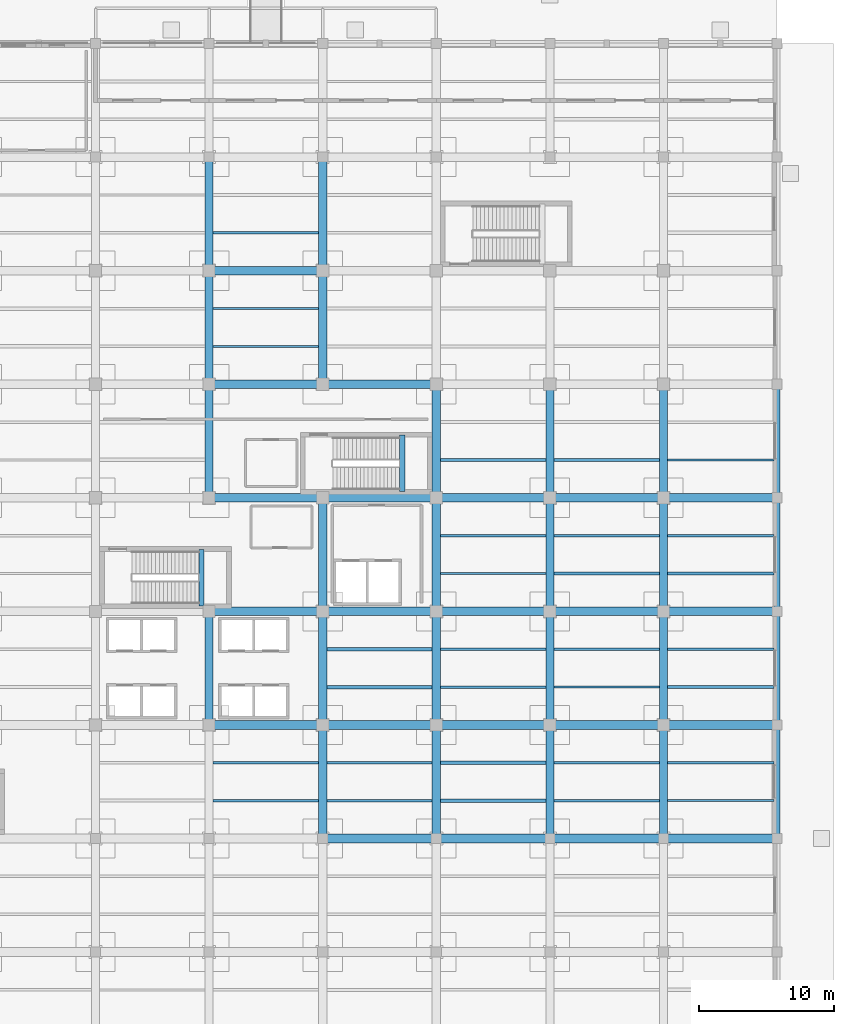
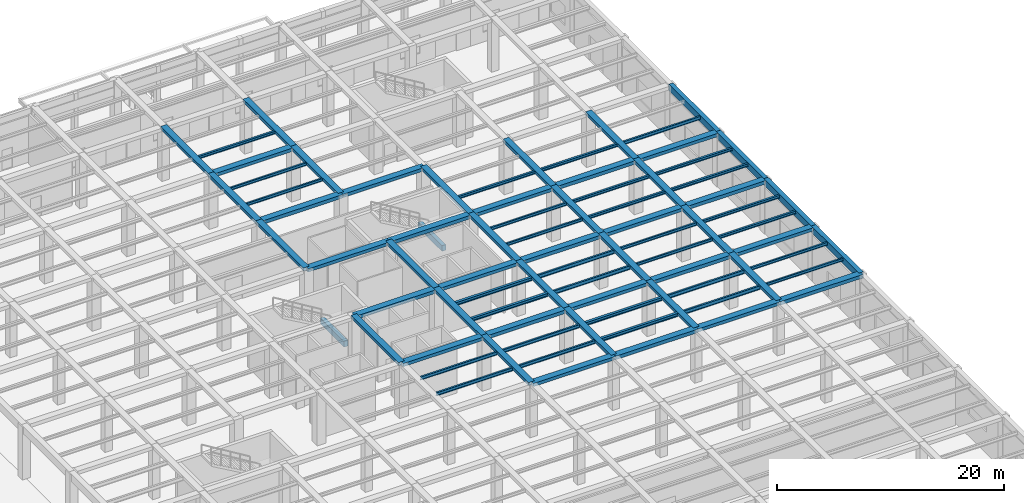
# One storey, part 14 of 43: 79 beams.
"""IFC4 building model written with IfcOpenShell, lengths in metres."""

from ifc_helpers import new_model, si_unit, direction, frame, origin, origin_2d, place, context, subcontext, project, spatial, rectangle, i_section, extrude, material, material_profile, profile_set, type_object, element, save


model = new_model("IFC4")

# Units and contexts
model_context = context("Model", 3, precision=1e-05, world=origin(), true_north=direction((0.0, 1.0)))
body_context = subcontext(model_context, "Body", "Model", "MODEL_VIEW")
ifc_project = project(units=[si_unit("LENGTHUNIT", "METRE"), si_unit("AREAUNIT", "SQUARE_METRE"), si_unit("VOLUMEUNIT", "CUBIC_METRE"), si_unit("PLANEANGLEUNIT", "RADIAN"), si_unit("MASSUNIT", "GRAM", prefix="KILO")], contexts=[model_context])

# Site, building, storey
site_placement = place(None, origin())
site = spatial("IfcSite", under=ifc_project, at=site_placement, CompositionType="ELEMENT")
building_placement = place(site_placement, origin())
building = spatial("IfcBuilding", under=site, at=building_placement, Name="Almacenes y Pasaje Nevantli", CompositionType="ELEMENT")
storey_placement = place(building_placement, origin())
storey = spatial("IfcBuildingStorey", under=building, at=storey_placement, Name="L01", CompositionType="ELEMENT", Elevation=0.0)

# Beams
ifc_material_1 = material(Name="Concrete C35/45", Category="concrete")
ifc_material_profile_1 = material_profile(ifc_material_1, rectangle(XDim=0.39990234375, YDim=0.60009765625, at=origin_2d()), Name="RC-BM-400x600")
ifc_profile_set_1 = profile_set([ifc_material_profile_1], Name="Concrete C35/45")
beam_type_1 = type_object("IfcBeamType", Name="BM-RC-400x600", PredefinedType="SPANDREL", material=ifc_profile_set_1)
for number, where, z_axis, x_axis, name in (
    (1, (125.429931640625, 76.0, 2.5), (0.0, 1.0, 0.0), (-1.0, 0.0, 0.0), "L01 Stair ST-01 Half-Landing Support Beam"),
    (2, (140.280029296875, 84.449951171875, 2.5), (0.0, 1.0, 0.0), (-1.0, 0.0, 0.0), "L01 Stair ST-02 Half-Landing Support Beam"),
):
    element("IfcBeam", number, at=place(storey_placement, frame(where, z_axis=z_axis, x_axis=x_axis)), inside=storey, type_object=beam_type_1, Name=name, PredefinedType="SPANDREL", context=body_context, shape_type="SweptSolid", body=[
        extrude(rectangle(XDim=0.39990234375, YDim=0.60009765625, at=origin_2d()), origin(), (0.0, 0.0, 1.0), 4.18994140625),
    ])
ifc_material_2 = material(Name="Concrete C35/45", Category="concrete")
ifc_material_profile_2 = material_profile(ifc_material_2, rectangle(XDim=0.449951171875, YDim=0.699951171875, at=origin_2d()), Name="RC-BM-450x700")
ifc_profile_set_2 = profile_set([ifc_material_profile_2], Name="Concrete C35/45")
beam_type_2 = type_object("IfcBeamType", Name="BM-RC-450x700", PredefinedType="SPANDREL", material=ifc_profile_set_2)
beam_1_placement = place(storey_placement, frame((168.0, 58.800048828125, 5.35009765625), z_axis=(0.0, 1.0, 0.0), x_axis=(-1.0, 0.0, 0.0)))
element("IfcBeam", 3, at=beam_1_placement, inside=storey, type_object=beam_type_2, Name="L01 North-South Reinforced Concrete Beam #1682", PredefinedType="SPANDREL", context=body_context, shape_type="SweptSolid", body=[
    extrude(rectangle(XDim=0.449951171875, YDim=0.699951171875, at=origin_2d()), origin(), (0.0, 0.0, 1.0), 8.39990234375),
])
beam_2_placement = place(storey_placement, frame((168.0, 67.199951171875, 5.35009765625), z_axis=(0.0, 1.0, 0.0), x_axis=(-1.0, 0.0, 0.0)))
element("IfcBeam", 4, at=beam_2_placement, inside=storey, type_object=beam_type_2, Name="L01 North-South Reinforced Concrete Beam #1683", PredefinedType="SPANDREL", context=body_context, shape_type="SweptSolid", body=[
    extrude(rectangle(XDim=0.449951171875, YDim=0.699951171875, at=origin_2d()), origin(), (0.0, 0.0, 1.0), 8.400146484375),
])
for number, where, z_axis, x_axis, name in (
    (5, (168.0, 75.60009765625, 5.35009765625), (0.0, 1.0, 0.0), (-1.0, 0.0, 0.0), "L01 North-South Reinforced Concrete Beam #1684"),
    (6, (168.0, 84.0, 5.35009765625), (0.0, 1.0, 0.0), (-1.0, 0.0, 0.0), "L01 North-South Reinforced Concrete Beam #1685"),
):
    element("IfcBeam", number, at=place(storey_placement, frame(where, z_axis=z_axis, x_axis=x_axis)), inside=storey, type_object=beam_type_2, Name=name, PredefinedType="SPANDREL", context=body_context, shape_type="SweptSolid", body=[
        extrude(rectangle(XDim=0.449951171875, YDim=0.699951171875, at=origin_2d()), origin(), (0.0, 0.0, 1.0), 8.39990234375),
    ])
ifc_material_3 = material(Name="Concrete C35/45", Category="concrete")
ifc_material_profile_3 = material_profile(ifc_material_3, rectangle(XDim=0.60009765625, YDim=0.320068359375, at=origin_2d()), Name="RC-BM-600x320")
ifc_profile_set_3 = profile_set([ifc_material_profile_3], Name="Concrete C35/45")
beam_type_3 = type_object("IfcBeamType", Name="BM-RC-600x320", PredefinedType="BEAM", material=ifc_profile_set_3)
beam_3_placement = place(storey_placement, frame((126.0, 67.199951171875, 5.5400390625), z_axis=(0.0, 1.0, 0.0), x_axis=(-1.0, 0.0, 0.0)))
element("IfcBeam", 7, at=beam_3_placement, inside=storey, type_object=beam_type_3, Name="L01 North-South Reinforced Concrete Beam #1617", PredefinedType="BEAM", context=body_context, shape_type="SweptSolid", body=[
    extrude(rectangle(XDim=0.60009765625, YDim=0.320068359375, at=origin_2d()), origin(), (0.0, 0.0, 1.0), 8.400146484375),
])
for number, where, z_axis, x_axis, name in (
    (8, (126.0, 84.0, 5.5400390625), (0.0, 1.0, 0.0), (-1.0, 0.0, 0.0), "L01 North-South Reinforced Concrete Beam #1618"),
    (9, (126.0, 100.800048828125, 5.5400390625), (0.0, 1.0, 0.0), (-1.0, 0.0, 0.0), "L01 North-South Reinforced Concrete Beam #1620"),
    (10, (134.39990234375, 58.800048828125, 5.5400390625), (0.0, 1.0, 0.0), (-1.0, 0.0, 0.0), "L01 North-South Reinforced Concrete Beam #1628"),
    (11, (134.39990234375, 75.60009765625, 5.5400390625), (0.0, 1.0, 0.0), (-1.0, 0.0, 0.0), "L01 North-South Reinforced Concrete Beam #1630"),
):
    element("IfcBeam", number, at=place(storey_placement, frame(where, z_axis=z_axis, x_axis=x_axis)), inside=storey, type_object=beam_type_3, Name=name, PredefinedType="BEAM", context=body_context, shape_type="SweptSolid", body=[
        extrude(rectangle(XDim=0.60009765625, YDim=0.320068359375, at=origin_2d()), origin(), (0.0, 0.0, 1.0), 8.39990234375),
    ])
for number, where, z_axis, x_axis, name in (
    (12, (134.39990234375, 92.39990234375, 5.5400390625), (0.0, 1.0, 0.0), (-1.0, 0.0, 0.0), "L01 North-South Reinforced Concrete Beam #1631"),
    (13, (142.800048828125, 67.199951171875, 5.5400390625), (0.0, 1.0, 0.0), (-1.0, 0.0, 0.0), "L01 North-South Reinforced Concrete Beam #1642"),
):
    element("IfcBeam", number, at=place(storey_placement, frame(where, z_axis=z_axis, x_axis=x_axis)), inside=storey, type_object=beam_type_3, Name=name, PredefinedType="BEAM", context=body_context, shape_type="SweptSolid", body=[
        extrude(rectangle(XDim=0.60009765625, YDim=0.320068359375, at=origin_2d()), origin(), (0.0, 0.0, 1.0), 8.400146484375),
    ])
for number, where, z_axis, x_axis, name in (
    (14, (142.800048828125, 84.0, 5.5400390625), (0.0, 1.0, 0.0), (-1.0, 0.0, 0.0), "L01 North-South Reinforced Concrete Beam #1644"),
    (15, (151.199951171875, 58.800048828125, 5.5400390625), (0.0, 1.0, 0.0), (-1.0, 0.0, 0.0), "L01 North-South Reinforced Concrete Beam #1655"),
    (16, (151.199951171875, 75.60009765625, 5.5400390625), (0.0, 1.0, 0.0), (-1.0, 0.0, 0.0), "L01 North-South Reinforced Concrete Beam #1657"),
):
    element("IfcBeam", number, at=place(storey_placement, frame(where, z_axis=z_axis, x_axis=x_axis)), inside=storey, type_object=beam_type_3, Name=name, PredefinedType="BEAM", context=body_context, shape_type="SweptSolid", body=[
        extrude(rectangle(XDim=0.60009765625, YDim=0.320068359375, at=origin_2d()), origin(), (0.0, 0.0, 1.0), 8.39990234375),
    ])
beam_4_placement = place(storey_placement, frame((159.60009765625, 67.199951171875, 5.5400390625), z_axis=(0.0, 1.0, 0.0), x_axis=(-1.0, 0.0, 0.0)))
element("IfcBeam", 17, at=beam_4_placement, inside=storey, type_object=beam_type_3, Name="L01 North-South Reinforced Concrete Beam #1669", PredefinedType="BEAM", context=body_context, shape_type="SweptSolid", body=[
    extrude(rectangle(XDim=0.60009765625, YDim=0.320068359375, at=origin_2d()), origin(), (0.0, 0.0, 1.0), 8.400146484375),
])
beam_5_placement = place(storey_placement, frame((159.60009765625, 84.0, 5.5400390625), z_axis=(0.0, 1.0, 0.0), x_axis=(-1.0, 0.0, 0.0)))
element("IfcBeam", 18, at=beam_5_placement, inside=storey, type_object=beam_type_3, Name="L01 North-South Reinforced Concrete Beam #1671", PredefinedType="BEAM", context=body_context, shape_type="SweptSolid", body=[
    extrude(rectangle(XDim=0.60009765625, YDim=0.320068359375, at=origin_2d()), origin(), (0.0, 0.0, 1.0), 8.39990234375),
])
ifc_material_4 = material(Name="Concrete C35/45", Category="concrete")
ifc_material_profile_4 = material_profile(ifc_material_4, rectangle(XDim=0.60009765625, YDim=0.340087890625, at=origin_2d()), Name="RC-BM-600x340")
ifc_profile_set_4 = profile_set([ifc_material_profile_4], Name="Concrete C35/45")
beam_type_4 = type_object("IfcBeamType", Name="BM-RC-600x340", PredefinedType="BEAM", material=ifc_profile_set_4)
for number, where, z_axis, x_axis, name in (
    (19, (126.0, 92.39990234375, 5.530029296875), (0.0, 1.0, 0.0), (-1.0, 0.0, 0.0), "L01 North-South Reinforced Concrete Beam #1619"),
    (20, (134.39990234375, 67.199951171875, 5.530029296875), (0.0, 1.0, 0.0), (-1.0, 0.0, 0.0), "L01 North-South Reinforced Concrete Beam #1629"),
):
    element("IfcBeam", number, at=place(storey_placement, frame(where, z_axis=z_axis, x_axis=x_axis)), inside=storey, type_object=beam_type_4, Name=name, PredefinedType="BEAM", context=body_context, shape_type="SweptSolid", body=[
        extrude(rectangle(XDim=0.60009765625, YDim=0.340087890625, at=origin_2d()), origin(), (0.0, 0.0, 1.0), 8.400146484375),
    ])
for number, where, z_axis, x_axis, name in (
    (21, (134.39990234375, 100.800048828125, 5.530029296875), (0.0, 1.0, 0.0), (-1.0, 0.0, 0.0), "L01 North-South Reinforced Concrete Beam #1632"),
    (22, (142.800048828125, 58.800048828125, 5.530029296875), (0.0, 1.0, 0.0), (-1.0, 0.0, 0.0), "L01 North-South Reinforced Concrete Beam #1641"),
    (23, (142.800048828125, 75.60009765625, 5.530029296875), (0.0, 1.0, 0.0), (-1.0, 0.0, 0.0), "L01 North-South Reinforced Concrete Beam #1643"),
):
    element("IfcBeam", number, at=place(storey_placement, frame(where, z_axis=z_axis, x_axis=x_axis)), inside=storey, type_object=beam_type_4, Name=name, PredefinedType="BEAM", context=body_context, shape_type="SweptSolid", body=[
        extrude(rectangle(XDim=0.60009765625, YDim=0.340087890625, at=origin_2d()), origin(), (0.0, 0.0, 1.0), 8.39990234375),
    ])
beam_6_placement = place(storey_placement, frame((151.199951171875, 67.199951171875, 5.530029296875), z_axis=(0.0, 1.0, 0.0), x_axis=(-1.0, 0.0, 0.0)))
element("IfcBeam", 24, at=beam_6_placement, inside=storey, type_object=beam_type_4, Name="L01 North-South Reinforced Concrete Beam #1656", PredefinedType="BEAM", context=body_context, shape_type="SweptSolid", body=[
    extrude(rectangle(XDim=0.60009765625, YDim=0.340087890625, at=origin_2d()), origin(), (0.0, 0.0, 1.0), 8.400146484375),
])
for number, where, z_axis, x_axis, name in (
    (25, (151.199951171875, 84.0, 5.530029296875), (0.0, 1.0, 0.0), (-1.0, 0.0, 0.0), "L01 North-South Reinforced Concrete Beam #1658"),
    (26, (159.60009765625, 58.800048828125, 5.530029296875), (0.0, 1.0, 0.0), (-1.0, 0.0, 0.0), "L01 North-South Reinforced Concrete Beam #1668"),
    (27, (159.60009765625, 75.60009765625, 5.530029296875), (0.0, 1.0, 0.0), (-1.0, 0.0, 0.0), "L01 North-South Reinforced Concrete Beam #1670"),
):
    element("IfcBeam", number, at=place(storey_placement, frame(where, z_axis=z_axis, x_axis=x_axis)), inside=storey, type_object=beam_type_4, Name=name, PredefinedType="BEAM", context=body_context, shape_type="SweptSolid", body=[
        extrude(rectangle(XDim=0.60009765625, YDim=0.340087890625, at=origin_2d()), origin(), (0.0, 0.0, 1.0), 8.39990234375),
    ])
ifc_material_5 = material(Name="Concrete C35/45", Category="concrete")
ifc_material_profile_5 = material_profile(ifc_material_5, rectangle(XDim=0.64990234375, YDim=0.35009765625, at=origin_2d()), Name="RC-BM-650x350")
ifc_profile_set_5 = profile_set([ifc_material_profile_5], Name="Concrete C35/45")
beam_type_5 = type_object("IfcBeamType", Name="BM-RC-650x350", PredefinedType="BEAM", material=ifc_profile_set_5)
for number, where, z_axis, x_axis, name in (
    (28, (134.39990234375, 58.800048828125, 5.52490234375), (1.0, 0.0, 0.0), (0.0, 1.0, 0.0), "L01 East-West Reinforced Concrete Beam #1329"),
    (29, (151.199951171875, 58.800048828125, 5.52490234375), (1.0, 0.0, 0.0), (0.0, 1.0, 0.0), "L01 East-West Reinforced Concrete Beam #1331"),
):
    element("IfcBeam", number, at=place(storey_placement, frame(where, z_axis=z_axis, x_axis=x_axis)), inside=storey, type_object=beam_type_5, Name=name, PredefinedType="BEAM", context=body_context, shape_type="SweptSolid", body=[
        extrude(rectangle(XDim=0.64990234375, YDim=0.35009765625, at=origin_2d()), origin(), (0.0, 0.0, 1.0), 8.400146484375),
    ])
for number, where, z_axis, x_axis, name in (
    (30, (126.0, 67.199951171875, 5.52490234375), (1.0, 0.0, 0.0), (0.0, 1.0, 0.0), "L01 East-West Reinforced Concrete Beam #1342"),
    (31, (142.800048828125, 67.199951171875, 5.52490234375), (1.0, 0.0, 0.0), (0.0, 1.0, 0.0), "L01 East-West Reinforced Concrete Beam #1344"),
    (32, (159.60009765625, 67.199951171875, 5.52490234375), (1.0, 0.0, 0.0), (0.0, 1.0, 0.0), "L01 East-West Reinforced Concrete Beam #1346"),
):
    element("IfcBeam", number, at=place(storey_placement, frame(where, z_axis=z_axis, x_axis=x_axis)), inside=storey, type_object=beam_type_5, Name=name, PredefinedType="BEAM", context=body_context, shape_type="SweptSolid", body=[
        extrude(rectangle(XDim=0.64990234375, YDim=0.35009765625, at=origin_2d()), origin(), (0.0, 0.0, 1.0), 8.39990234375),
    ])
for number, where, z_axis, x_axis, name in (
    (33, (134.39990234375, 75.60009765625, 5.52490234375), (1.0, 0.0, 0.0), (0.0, 1.0, 0.0), "L01 East-West Reinforced Concrete Beam #1360"),
    (34, (151.199951171875, 75.60009765625, 5.52490234375), (1.0, 0.0, 0.0), (0.0, 1.0, 0.0), "L01 East-West Reinforced Concrete Beam #1362"),
):
    element("IfcBeam", number, at=place(storey_placement, frame(where, z_axis=z_axis, x_axis=x_axis)), inside=storey, type_object=beam_type_5, Name=name, PredefinedType="BEAM", context=body_context, shape_type="SweptSolid", body=[
        extrude(rectangle(XDim=0.64990234375, YDim=0.35009765625, at=origin_2d()), origin(), (0.0, 0.0, 1.0), 8.400146484375),
    ])
for number, where, z_axis, x_axis, name in (
    (35, (126.0, 84.0, 5.52490234375), (1.0, 0.0, 0.0), (0.0, 1.0, 0.0), "L01 East-West Reinforced Concrete Beam #1376"),
    (36, (142.800048828125, 84.0, 5.52490234375), (1.0, 0.0, 0.0), (0.0, 1.0, 0.0), "L01 East-West Reinforced Concrete Beam #1378"),
    (37, (159.60009765625, 84.0, 5.52490234375), (1.0, 0.0, 0.0), (0.0, 1.0, 0.0), "L01 East-West Reinforced Concrete Beam #1380"),
):
    element("IfcBeam", number, at=place(storey_placement, frame(where, z_axis=z_axis, x_axis=x_axis)), inside=storey, type_object=beam_type_5, Name=name, PredefinedType="BEAM", context=body_context, shape_type="SweptSolid", body=[
        extrude(rectangle(XDim=0.64990234375, YDim=0.35009765625, at=origin_2d()), origin(), (0.0, 0.0, 1.0), 8.39990234375),
    ])
beam_7_placement = place(storey_placement, frame((134.39990234375, 92.39990234375, 5.52490234375), z_axis=(1.0, 0.0, 0.0), x_axis=(0.0, 1.0, 0.0)))
element("IfcBeam", 38, at=beam_7_placement, inside=storey, type_object=beam_type_5, Name="L01 East-West Reinforced Concrete Beam #1394", PredefinedType="BEAM", context=body_context, shape_type="SweptSolid", body=[
    extrude(rectangle(XDim=0.64990234375, YDim=0.35009765625, at=origin_2d()), origin(), (0.0, 0.0, 1.0), 8.400146484375),
])
beam_8_placement = place(storey_placement, frame((126.0, 100.800048828125, 5.52490234375), z_axis=(1.0, 0.0, 0.0), x_axis=(0.0, 1.0, 0.0)))
element("IfcBeam", 39, at=beam_8_placement, inside=storey, type_object=beam_type_5, Name="L01 East-West Reinforced Concrete Beam #1410", PredefinedType="BEAM", context=body_context, shape_type="SweptSolid", body=[
    extrude(rectangle(XDim=0.64990234375, YDim=0.35009765625, at=origin_2d()), origin(), (0.0, 0.0, 1.0), 8.39990234375),
])
ifc_material_6 = material(Name="Concrete C35/45", Category="concrete")
ifc_material_profile_6 = material_profile(ifc_material_6, rectangle(XDim=0.64990234375, YDim=0.3798828125, at=origin_2d()), Name="RC-BM-650x380")
ifc_profile_set_6 = profile_set([ifc_material_profile_6], Name="Concrete C35/45")
beam_type_6 = type_object("IfcBeamType", Name="BM-RC-650x380", PredefinedType="BEAM", material=ifc_profile_set_6)
for number, where, z_axis, x_axis, name in (
    (40, (142.800048828125, 58.800048828125, 5.510009765625), (1.0, 0.0, 0.0), (0.0, 1.0, 0.0), "L01 East-West Reinforced Concrete Beam #1330"),
    (41, (159.60009765625, 58.800048828125, 5.510009765625), (1.0, 0.0, 0.0), (0.0, 1.0, 0.0), "L01 East-West Reinforced Concrete Beam #1332"),
):
    element("IfcBeam", number, at=place(storey_placement, frame(where, z_axis=z_axis, x_axis=x_axis)), inside=storey, type_object=beam_type_6, Name=name, PredefinedType="BEAM", context=body_context, shape_type="SweptSolid", body=[
        extrude(rectangle(XDim=0.64990234375, YDim=0.3798828125, at=origin_2d()), origin(), (0.0, 0.0, 1.0), 8.39990234375),
    ])
for number, where, z_axis, x_axis, name in (
    (42, (134.39990234375, 67.199951171875, 5.510009765625), (1.0, 0.0, 0.0), (0.0, 1.0, 0.0), "L01 East-West Reinforced Concrete Beam #1343"),
    (43, (151.199951171875, 67.199951171875, 5.510009765625), (1.0, 0.0, 0.0), (0.0, 1.0, 0.0), "L01 East-West Reinforced Concrete Beam #1345"),
):
    element("IfcBeam", number, at=place(storey_placement, frame(where, z_axis=z_axis, x_axis=x_axis)), inside=storey, type_object=beam_type_6, Name=name, PredefinedType="BEAM", context=body_context, shape_type="SweptSolid", body=[
        extrude(rectangle(XDim=0.64990234375, YDim=0.3798828125, at=origin_2d()), origin(), (0.0, 0.0, 1.0), 8.400146484375),
    ])
for number, where, z_axis, x_axis, name in (
    (44, (126.0, 75.60009765625, 5.510009765625), (1.0, 0.0, 0.0), (0.0, 1.0, 0.0), "L01 East-West Reinforced Concrete Beam #1359"),
    (45, (142.800048828125, 75.60009765625, 5.510009765625), (1.0, 0.0, 0.0), (0.0, 1.0, 0.0), "L01 East-West Reinforced Concrete Beam #1361"),
    (46, (159.60009765625, 75.60009765625, 5.510009765625), (1.0, 0.0, 0.0), (0.0, 1.0, 0.0), "L01 East-West Reinforced Concrete Beam #1363"),
):
    element("IfcBeam", number, at=place(storey_placement, frame(where, z_axis=z_axis, x_axis=x_axis)), inside=storey, type_object=beam_type_6, Name=name, PredefinedType="BEAM", context=body_context, shape_type="SweptSolid", body=[
        extrude(rectangle(XDim=0.64990234375, YDim=0.3798828125, at=origin_2d()), origin(), (0.0, 0.0, 1.0), 8.39990234375),
    ])
for number, where, z_axis, x_axis, name in (
    (47, (134.39990234375, 84.0, 5.510009765625), (1.0, 0.0, 0.0), (0.0, 1.0, 0.0), "L01 East-West Reinforced Concrete Beam #1377"),
    (48, (151.199951171875, 84.0, 5.510009765625), (1.0, 0.0, 0.0), (0.0, 1.0, 0.0), "L01 East-West Reinforced Concrete Beam #1379"),
):
    element("IfcBeam", number, at=place(storey_placement, frame(where, z_axis=z_axis, x_axis=x_axis)), inside=storey, type_object=beam_type_6, Name=name, PredefinedType="BEAM", context=body_context, shape_type="SweptSolid", body=[
        extrude(rectangle(XDim=0.64990234375, YDim=0.3798828125, at=origin_2d()), origin(), (0.0, 0.0, 1.0), 8.400146484375),
    ])
beam_9_placement = place(storey_placement, frame((126.0, 92.39990234375, 5.510009765625), z_axis=(1.0, 0.0, 0.0), x_axis=(0.0, 1.0, 0.0)))
element("IfcBeam", 49, at=beam_9_placement, inside=storey, type_object=beam_type_6, Name="L01 East-West Reinforced Concrete Beam #1393", PredefinedType="BEAM", context=body_context, shape_type="SweptSolid", body=[
    extrude(rectangle(XDim=0.64990234375, YDim=0.3798828125, at=origin_2d()), origin(), (0.0, 0.0, 1.0), 8.39990234375),
])
ifc_material_7 = material(Name="Steel ASTM A992", Category="steel")
ifc_material_profile_7 = material_profile(ifc_material_7, i_section(OverallWidth=0.1650390625, OverallDepth=0.306884765625, WebThickness=0.006591796875, FlangeThickness=0.01025390625, at=origin_2d()), Name="IR 305x44.6")
ifc_profile_set_7 = profile_set([ifc_material_profile_7], Name="Steel ASTM A992")
beam_type_7 = type_object("IfcBeamType", Name="BM-STL-IR-305x44p6", PredefinedType="JOIST", material=ifc_profile_set_7)
for number, where, z_axis, x_axis, name in (
    (50, (126.300048828125, 95.199951171875, 5.53857421875), (1.0, 0.0, 0.0), (0.0, 1.0, 0.0), "L01 Secondary Steel Floor Joist #233"),
    (51, (126.300048828125, 98.0, 5.53857421875), (1.0, 0.0, 0.0), (0.0, 1.0, 0.0), "L01 Secondary Steel Floor Joist #234"),
):
    element("IfcBeam", number, at=place(storey_placement, frame(where, z_axis=z_axis, x_axis=x_axis)), inside=storey, type_object=beam_type_7, Name=name, PredefinedType="JOIST", context=body_context, shape_type="SweptSolid", body=[
        extrude(i_section(OverallWidth=0.1650390625, OverallDepth=0.306884765625, WebThickness=0.006591796875, FlangeThickness=0.01025390625, at=origin_2d()), origin(), (0.0, 0.0, 1.0), 7.800048828125),
    ])
for number, where, z_axis, x_axis, name in (
    (52, (143.10009765625, 78.39990234375, 5.53857421875), (1.0, 0.0, 0.0), (0.0, 1.0, 0.0), "L01 Secondary Steel Floor Joist #277"),
    (53, (143.10009765625, 81.199951171875, 5.53857421875), (1.0, 0.0, 0.0), (0.0, 1.0, 0.0), "L01 Secondary Steel Floor Joist #278"),
):
    element("IfcBeam", number, at=place(storey_placement, frame(where, z_axis=z_axis, x_axis=x_axis)), inside=storey, type_object=beam_type_7, Name=name, PredefinedType="JOIST", context=body_context, shape_type="SweptSolid", body=[
        extrude(i_section(OverallWidth=0.1650390625, OverallDepth=0.306884765625, WebThickness=0.006591796875, FlangeThickness=0.01025390625, at=origin_2d()), origin(), (0.0, 0.0, 1.0), 7.7998046875),
    ])
for number, where, z_axis, x_axis, name in (
    (54, (151.5, 70.0, 5.53857421875), (1.0, 0.0, 0.0), (0.0, 1.0, 0.0), "L01 Secondary Steel Floor Joist #301"),
    (55, (151.5, 72.800048828125, 5.53857421875), (1.0, 0.0, 0.0), (0.0, 1.0, 0.0), "L01 Secondary Steel Floor Joist #302"),
):
    element("IfcBeam", number, at=place(storey_placement, frame(where, z_axis=z_axis, x_axis=x_axis)), inside=storey, type_object=beam_type_7, Name=name, PredefinedType="JOIST", context=body_context, shape_type="SweptSolid", body=[
        extrude(i_section(OverallWidth=0.1650390625, OverallDepth=0.306884765625, WebThickness=0.006591796875, FlangeThickness=0.01025390625, at=origin_2d()), origin(), (0.0, 0.0, 1.0), 7.800048828125),
    ])
for number, where, z_axis, x_axis, name in (
    (56, (159.89990234375, 61.60009765625, 5.53857421875), (1.0, 0.0, 0.0), (0.0, 1.0, 0.0), "L01 Secondary Steel Floor Joist #325"),
    (57, (159.89990234375, 64.39990234375, 5.53857421875), (1.0, 0.0, 0.0), (0.0, 1.0, 0.0), "L01 Secondary Steel Floor Joist #326"),
):
    element("IfcBeam", number, at=place(storey_placement, frame(where, z_axis=z_axis, x_axis=x_axis)), inside=storey, type_object=beam_type_7, Name=name, PredefinedType="JOIST", context=body_context, shape_type="SweptSolid", body=[
        extrude(i_section(OverallWidth=0.1650390625, OverallDepth=0.306884765625, WebThickness=0.006591796875, FlangeThickness=0.01025390625, at=origin_2d()), origin(), (0.0, 0.0, 1.0), 7.875),
    ])
ifc_material_8 = material(Name="Steel ASTM A992", Category="steel")
ifc_material_profile_8 = material_profile(ifc_material_8, i_section(OverallWidth=0.202880859375, OverallDepth=0.304931640625, WebThickness=0.007568359375, FlangeThickness=0.01318359375, at=origin_2d()), Name="IR 305x59.5")
ifc_profile_set_8 = profile_set([ifc_material_profile_8], Name="Steel ASTM A992")
beam_type_8 = type_object("IfcBeamType", Name="BM-STL-IR-305x59p5", PredefinedType="JOIST", material=ifc_profile_set_8)
beam_10_placement = place(storey_placement, frame((126.300048828125, 103.60009765625, 5.53955078125), z_axis=(1.0, 0.0, 0.0), x_axis=(0.0, 1.0, 0.0)))
element("IfcBeam", 58, at=beam_10_placement, inside=storey, type_object=beam_type_8, Name="L01 Secondary Steel Floor Joist #235", PredefinedType="JOIST", context=body_context, shape_type="SweptSolid", body=[
    extrude(i_section(OverallWidth=0.202880859375, OverallDepth=0.304931640625, WebThickness=0.007568359375, FlangeThickness=0.01318359375, at=origin_2d()), origin(), (0.0, 0.0, 1.0), 7.800048828125),
])
beam_11_placement = place(storey_placement, frame((143.10009765625, 86.800048828125, 5.53955078125), z_axis=(1.0, 0.0, 0.0), x_axis=(0.0, 1.0, 0.0)))
element("IfcBeam", 59, at=beam_11_placement, inside=storey, type_object=beam_type_8, Name="L01 Secondary Steel Floor Joist #279", PredefinedType="JOIST", context=body_context, shape_type="SweptSolid", body=[
    extrude(i_section(OverallWidth=0.202880859375, OverallDepth=0.304931640625, WebThickness=0.007568359375, FlangeThickness=0.01318359375, at=origin_2d()), origin(), (0.0, 0.0, 1.0), 7.7998046875),
])
for number, where, z_axis, x_axis, name in (
    (60, (151.5, 78.39990234375, 5.53955078125), (1.0, 0.0, 0.0), (0.0, 1.0, 0.0), "L01 Secondary Steel Floor Joist #303"),
    (61, (151.5, 81.199951171875, 5.53955078125), (1.0, 0.0, 0.0), (0.0, 1.0, 0.0), "L01 Secondary Steel Floor Joist #304"),
):
    element("IfcBeam", number, at=place(storey_placement, frame(where, z_axis=z_axis, x_axis=x_axis)), inside=storey, type_object=beam_type_8, Name=name, PredefinedType="JOIST", context=body_context, shape_type="SweptSolid", body=[
        extrude(i_section(OverallWidth=0.202880859375, OverallDepth=0.304931640625, WebThickness=0.007568359375, FlangeThickness=0.01318359375, at=origin_2d()), origin(), (0.0, 0.0, 1.0), 7.800048828125),
    ])
for number, where, z_axis, x_axis, name in (
    (62, (159.89990234375, 70.0, 5.53955078125), (1.0, 0.0, 0.0), (0.0, 1.0, 0.0), "L01 Secondary Steel Floor Joist #327"),
    (63, (159.89990234375, 72.800048828125, 5.53955078125), (1.0, 0.0, 0.0), (0.0, 1.0, 0.0), "L01 Secondary Steel Floor Joist #328"),
):
    element("IfcBeam", number, at=place(storey_placement, frame(where, z_axis=z_axis, x_axis=x_axis)), inside=storey, type_object=beam_type_8, Name=name, PredefinedType="JOIST", context=body_context, shape_type="SweptSolid", body=[
        extrude(i_section(OverallWidth=0.202880859375, OverallDepth=0.304931640625, WebThickness=0.007568359375, FlangeThickness=0.01318359375, at=origin_2d()), origin(), (0.0, 0.0, 1.0), 7.875),
    ])
ifc_material_9 = material(Name="Steel ASTM A992", Category="steel")
ifc_material_profile_9 = material_profile(ifc_material_9, i_section(OverallWidth=0.205078125, OverallDepth=0.31005859375, WebThickness=0.009521484375, FlangeThickness=0.016357421875, at=origin_2d()), Name="IR 305x74.4")
ifc_profile_set_9 = profile_set([ifc_material_profile_9], Name="Steel ASTM A992")
beam_type_9 = type_object("IfcBeamType", Name="BM-STL-IR-305x74p4", PredefinedType="JOIST", material=ifc_profile_set_9)
beam_12_placement = place(storey_placement, frame((151.5, 86.800048828125, 5.537109375), z_axis=(1.0, 0.0, 0.0), x_axis=(0.0, 1.0, 0.0)))
element("IfcBeam", 64, at=beam_12_placement, inside=storey, type_object=beam_type_9, Name="L01 Secondary Steel Floor Joist #305", PredefinedType="JOIST", context=body_context, shape_type="SweptSolid", body=[
    extrude(i_section(OverallWidth=0.205078125, OverallDepth=0.31005859375, WebThickness=0.009521484375, FlangeThickness=0.016357421875, at=origin_2d()), origin(), (0.0, 0.0, 1.0), 7.800048828125),
])
for number, where, z_axis, x_axis, name in (
    (65, (159.89990234375, 78.39990234375, 5.537109375), (1.0, 0.0, 0.0), (0.0, 1.0, 0.0), "L01 Secondary Steel Floor Joist #329"),
    (66, (159.89990234375, 81.199951171875, 5.537109375), (1.0, 0.0, 0.0), (0.0, 1.0, 0.0), "L01 Secondary Steel Floor Joist #330"),
):
    element("IfcBeam", number, at=place(storey_placement, frame(where, z_axis=z_axis, x_axis=x_axis)), inside=storey, type_object=beam_type_9, Name=name, PredefinedType="JOIST", context=body_context, shape_type="SweptSolid", body=[
        extrude(i_section(OverallWidth=0.205078125, OverallDepth=0.31005859375, WebThickness=0.009521484375, FlangeThickness=0.016357421875, at=origin_2d()), origin(), (0.0, 0.0, 1.0), 7.875),
    ])
ifc_material_10 = material(Name="Steel ASTM A992", Category="steel")
ifc_material_profile_10 = material_profile(ifc_material_10, i_section(OverallWidth=0.173095703125, OverallDepth=0.35302734375, WebThickness=0.0078125, FlangeThickness=0.01318359375, at=origin_2d()), Name="IR 356x56.6")
ifc_profile_set_10 = profile_set([ifc_material_profile_10], Name="Steel ASTM A992")
beam_type_10 = type_object("IfcBeamType", Name="BM-STL-IR-356x56p6", PredefinedType="JOIST", material=ifc_profile_set_10)
for number, where, z_axis, x_axis, name in (
    (67, (126.300048828125, 61.60009765625, 5.515380859375), (1.0, 0.0, 0.0), (0.0, 1.0, 0.0), "L01 Secondary Steel Floor Joist #231"),
    (68, (126.300048828125, 64.39990234375, 5.515380859375), (1.0, 0.0, 0.0), (0.0, 1.0, 0.0), "L01 Secondary Steel Floor Joist #232"),
):
    element("IfcBeam", number, at=place(storey_placement, frame(where, z_axis=z_axis, x_axis=x_axis)), inside=storey, type_object=beam_type_10, Name=name, PredefinedType="JOIST", context=body_context, shape_type="SweptSolid", body=[
        extrude(i_section(OverallWidth=0.173095703125, OverallDepth=0.35302734375, WebThickness=0.0078125, FlangeThickness=0.01318359375, at=origin_2d()), origin(), (0.0, 0.0, 1.0), 7.800048828125),
    ])
beam_13_placement = place(storey_placement, frame((159.89990234375, 86.800048828125, 5.515380859375), z_axis=(1.0, 0.0, 0.0), x_axis=(0.0, 1.0, 0.0)))
element("IfcBeam", 69, at=beam_13_placement, inside=storey, type_object=beam_type_10, Name="L01 Secondary Steel Floor Joist #331", PredefinedType="JOIST", context=body_context, shape_type="SweptSolid", body=[
    extrude(i_section(OverallWidth=0.173095703125, OverallDepth=0.35302734375, WebThickness=0.0078125, FlangeThickness=0.01318359375, at=origin_2d()), origin(), (0.0, 0.0, 1.0), 7.875),
])
ifc_material_11 = material(Name="Steel ASTM A992", Category="steel")
ifc_material_profile_11 = material_profile(ifc_material_11, i_section(OverallWidth=0.173095703125, OverallDepth=0.364013671875, WebThickness=0.009033203125, FlangeThickness=0.015625, at=origin_2d()), Name="IR 356x67.0")
ifc_profile_set_11 = profile_set([ifc_material_profile_11], Name="Steel ASTM A992")
beam_type_11 = type_object("IfcBeamType", Name="BM-STL-IR-356x67p0", PredefinedType="JOIST", material=ifc_profile_set_11)
for number, where, z_axis, x_axis, name in (
    (70, (134.699951171875, 61.60009765625, 5.510009765625), (1.0, 0.0, 0.0), (0.0, 1.0, 0.0), "L01 Secondary Steel Floor Joist #251"),
    (71, (134.699951171875, 64.39990234375, 5.510009765625), (1.0, 0.0, 0.0), (0.0, 1.0, 0.0), "L01 Secondary Steel Floor Joist #252"),
):
    element("IfcBeam", number, at=place(storey_placement, frame(where, z_axis=z_axis, x_axis=x_axis)), inside=storey, type_object=beam_type_11, Name=name, PredefinedType="JOIST", context=body_context, shape_type="SweptSolid", body=[
        extrude(i_section(OverallWidth=0.173095703125, OverallDepth=0.364013671875, WebThickness=0.009033203125, FlangeThickness=0.015625, at=origin_2d()), origin(), (0.0, 0.0, 1.0), 7.800048828125),
    ])
ifc_material_12 = material(Name="Steel ASTM A992", Category="steel")
ifc_material_profile_12 = material_profile(ifc_material_12, i_section(OverallWidth=0.25390625, OverallDepth=0.35595703125, WebThickness=0.009521484375, FlangeThickness=0.016357421875, at=origin_2d()), Name="IR 356x79.0")
ifc_profile_set_12 = profile_set([ifc_material_profile_12], Name="Steel ASTM A992")
beam_type_12 = type_object("IfcBeamType", Name="BM-STL-IR-356x79p0", PredefinedType="JOIST", material=ifc_profile_set_12)
for number, where, z_axis, x_axis, name in (
    (72, (134.699951171875, 70.0, 5.513916015625), (1.0, 0.0, 0.0), (0.0, 1.0, 0.0), "L01 Secondary Steel Floor Joist #253"),
    (73, (134.699951171875, 72.800048828125, 5.513916015625), (1.0, 0.0, 0.0), (0.0, 1.0, 0.0), "L01 Secondary Steel Floor Joist #254"),
):
    element("IfcBeam", number, at=place(storey_placement, frame(where, z_axis=z_axis, x_axis=x_axis)), inside=storey, type_object=beam_type_12, Name=name, PredefinedType="JOIST", context=body_context, shape_type="SweptSolid", body=[
        extrude(i_section(OverallWidth=0.25390625, OverallDepth=0.35595703125, WebThickness=0.009521484375, FlangeThickness=0.016357421875, at=origin_2d()), origin(), (0.0, 0.0, 1.0), 7.800048828125),
    ])
for number, where, z_axis, x_axis, name in (
    (74, (143.10009765625, 61.60009765625, 5.513916015625), (1.0, 0.0, 0.0), (0.0, 1.0, 0.0), "L01 Secondary Steel Floor Joist #273"),
    (75, (143.10009765625, 64.39990234375, 5.513916015625), (1.0, 0.0, 0.0), (0.0, 1.0, 0.0), "L01 Secondary Steel Floor Joist #274"),
):
    element("IfcBeam", number, at=place(storey_placement, frame(where, z_axis=z_axis, x_axis=x_axis)), inside=storey, type_object=beam_type_12, Name=name, PredefinedType="JOIST", context=body_context, shape_type="SweptSolid", body=[
        extrude(i_section(OverallWidth=0.25390625, OverallDepth=0.35595703125, WebThickness=0.009521484375, FlangeThickness=0.016357421875, at=origin_2d()), origin(), (0.0, 0.0, 1.0), 7.7998046875),
    ])
ifc_material_13 = material(Name="Steel ASTM A992", Category="steel")
ifc_material_profile_13 = material_profile(ifc_material_13, i_section(OverallWidth=0.178955078125, OverallDepth=0.406005859375, WebThickness=0.0087890625, FlangeThickness=0.014404296875, at=origin_2d()), Name="IR 406x67.0")
ifc_profile_set_13 = profile_set([ifc_material_profile_13], Name="Steel ASTM A992")
beam_type_13 = type_object("IfcBeamType", Name="BM-STL-IR-406x67p0", PredefinedType="JOIST", material=ifc_profile_set_13)
for number, where, z_axis, x_axis, name in (
    (76, (143.10009765625, 70.0, 5.489013671875), (1.0, 0.0, 0.0), (0.0, 1.0, 0.0), "L01 Secondary Steel Floor Joist #275"),
    (77, (143.10009765625, 72.800048828125, 5.489013671875), (1.0, 0.0, 0.0), (0.0, 1.0, 0.0), "L01 Secondary Steel Floor Joist #276"),
):
    element("IfcBeam", number, at=place(storey_placement, frame(where, z_axis=z_axis, x_axis=x_axis)), inside=storey, type_object=beam_type_13, Name=name, PredefinedType="JOIST", context=body_context, shape_type="SweptSolid", body=[
        extrude(i_section(OverallWidth=0.178955078125, OverallDepth=0.406005859375, WebThickness=0.0087890625, FlangeThickness=0.014404296875, at=origin_2d()), origin(), (0.0, 0.0, 1.0), 7.7998046875),
    ])
for number, where, z_axis, x_axis, name in (
    (78, (151.5, 61.60009765625, 5.489013671875), (1.0, 0.0, 0.0), (0.0, 1.0, 0.0), "L01 Secondary Steel Floor Joist #299"),
    (79, (151.5, 64.39990234375, 5.489013671875), (1.0, 0.0, 0.0), (0.0, 1.0, 0.0), "L01 Secondary Steel Floor Joist #300"),
):
    element("IfcBeam", number, at=place(storey_placement, frame(where, z_axis=z_axis, x_axis=x_axis)), inside=storey, type_object=beam_type_13, Name=name, PredefinedType="JOIST", context=body_context, shape_type="SweptSolid", body=[
        extrude(i_section(OverallWidth=0.178955078125, OverallDepth=0.406005859375, WebThickness=0.0087890625, FlangeThickness=0.014404296875, at=origin_2d()), origin(), (0.0, 0.0, 1.0), 7.800048828125),
    ])

save(model, "model.ifc")
